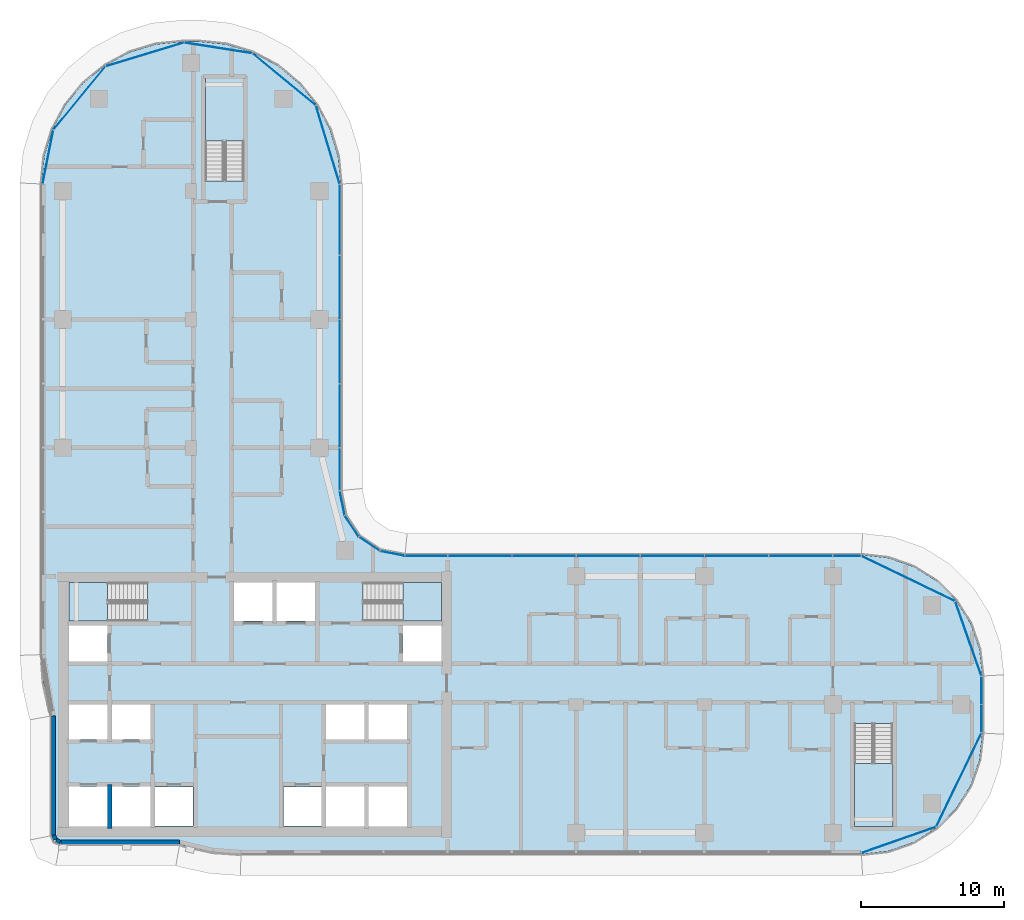
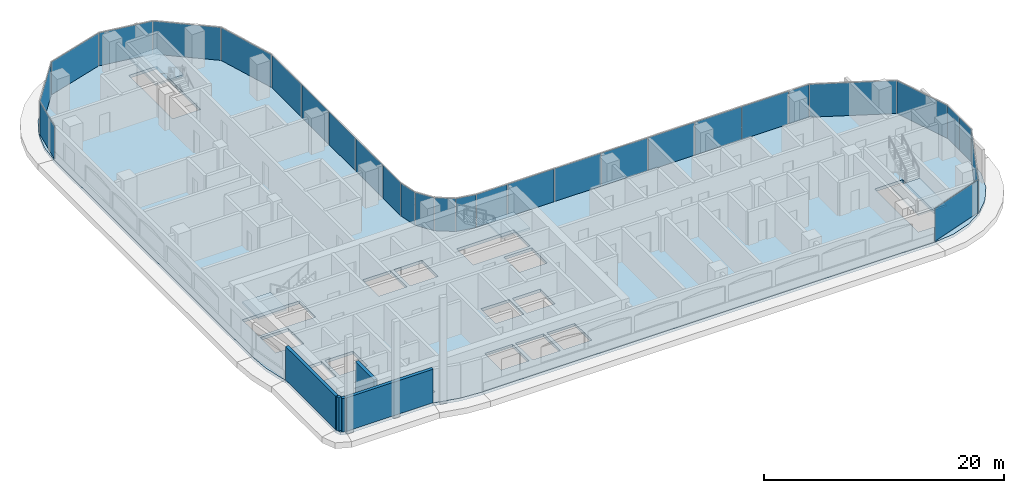
# One storey, part 8 of 25: 29 plates, 5 slabs, 5 walls, 11 elements without a shape of their own.
"""IFC4 building model written with IfcOpenShell, lengths in metres."""

import ifcopenshell
import ifcopenshell.guid

model = None  # the IFC model being written
_history = None  # IfcOwnerHistory: only IFC2X3 demands one
_inside = {}  # id of a spatial element -> (the spatial element, [elements in it])
_under = {}  # id of a project, library or spatial element -> (it, [spatial elements below it])
_declared = {}  # id of a project -> (the project, [libraries it declares])
_typed = {}  # id of a type object -> (the type object, [elements of that type])
_made_of = {}  # id of a material, layer set ... -> (it, [elements and type objects made of it])


def new_model(schema):
    """Start an empty IFC model of exactly this schema.

    Asked for "IFC4X3", IfcOpenShell would pick the latest addendum, in which some entities
    have other attributes; the version numbers below select the first issue.
    IFC2X3 requires an IfcOwnerHistory on every rooted entity: one is made here for all.
    """
    global model, _history
    if schema == "IFC4X3":
        model = ifcopenshell.file(schema_version=(4, 3, 0, 0))
    else:
        model = ifcopenshell.file(schema=schema)
    _inside.clear()
    _under.clear()
    _declared.clear()
    _typed.clear()
    _made_of.clear()
    _history = None
    if model.schema == "IFC2X3":
        org = make("IfcOrganization", Name="unknown")
        user = make(
            "IfcPersonAndOrganization",
            ThePerson=make("IfcPerson", FamilyName="unknown"),
            TheOrganization=org,
        )
        app = make(
            "IfcApplication",
            ApplicationDeveloper=org,
            Version="unknown",
            ApplicationFullName="unknown",
            ApplicationIdentifier="unknown",
        )
        _history = make(
            "IfcOwnerHistory",
            OwningUser=user,
            OwningApplication=app,
            ChangeAction="ADDED",
            CreationDate=0,
        )
    return model


def make(cls, **values):
    """One entity of the class cls with the attributes given. An attribute that is None is left unset."""
    return model.create_entity(
        cls, **{name: value for name, value in values.items() if value is not None}
    )


def rooted(cls, **values):
    """An entity with a GlobalId (a new one), such as an element, a storey or a relation."""
    return make(cls, GlobalId=ifcopenshell.guid.new(), OwnerHistory=_history, **values)


def si_unit(unit_type, name, prefix=None):
    """IfcSIUnit, for example si_unit("LENGTHUNIT", "METRE", prefix="MILLI")."""
    return make("IfcSIUnit", UnitType=unit_type, Prefix=prefix, Name=name)


def assignment(units):
    """IfcUnitAssignment: the units of a project."""
    return None if units is None else make("IfcUnitAssignment", Units=units)


def point(xyz):
    """IfcCartesianPoint."""
    return None if xyz is None else make("IfcCartesianPoint", Coordinates=xyz)


def direction(xyz):
    """IfcDirection."""
    return None if xyz is None else make("IfcDirection", DirectionRatios=xyz)


def frame(location, z_axis=None, x_axis=None):
    """IfcAxis2Placement3D, a coordinate frame: its origin and axes. An axis left out is left unset."""
    return make(
        "IfcAxis2Placement3D",
        Location=point(location),
        Axis=direction(z_axis),
        RefDirection=direction(x_axis),
    )


def frame_2d(location, x_axis=None):
    """IfcAxis2Placement2D, a coordinate frame in the plane: its origin and x axis."""
    return make(
        "IfcAxis2Placement2D", Location=point(location), RefDirection=direction(x_axis)
    )


def origin():
    """The frame at (0, 0, 0) with its axes left unset."""
    return frame((0.0, 0.0, 0.0))


def origin_2d():
    """The frame at (0, 0) in the plane with its x axis left unset."""
    return frame_2d((0.0, 0.0))


def place(relative_to, where):
    """IfcLocalPlacement: puts the frame where relative to a parent placement (None: the world)."""
    return make(
        "IfcLocalPlacement", PlacementRelTo=relative_to, RelativePlacement=where
    )


def context(
    kind, dimensions, precision=None, world=None, true_north=None, identifier=None
):
    """IfcGeometricRepresentationContext, for example the 3D "Model" context."""
    return make(
        "IfcGeometricRepresentationContext",
        ContextIdentifier=identifier,
        ContextType=kind,
        CoordinateSpaceDimension=dimensions,
        Precision=precision,
        WorldCoordinateSystem=world,
        TrueNorth=true_north,
    )


def subcontext(parent, identifier, kind, view, scale=None):
    """IfcGeometricRepresentationSubContext, for example "Body" below "Model"."""
    return make(
        "IfcGeometricRepresentationSubContext",
        ContextIdentifier=identifier,
        ContextType=kind,
        ParentContext=parent,
        TargetScale=scale,
        TargetView=view,
    )


def project(units=None, contexts=None):
    """IfcProject with its units and contexts."""
    return rooted(
        "IfcProject",
        Name="project",
        RepresentationContexts=contexts,
        UnitsInContext=assignment(units),
    )


def spatial(cls, under=None, at=None, **own):
    """A site, building, storey or space (cls), placed at a placement, below another one or the project."""
    s = rooted(cls, ObjectPlacement=at, **own)
    if under is not None:
        _under.setdefault(under.id(), (under, []))[1].append(s)
    return s


def polyline(points):
    """IfcPolyline through the points."""
    return make("IfcPolyline", Points=[point(p) for p in points])


def profile(cls, at=None, kind="AREA", **sizes):
    """A parametric profile (cls). Its sizes go by their IFC names, for example OverallWidth=200.0."""
    return make(cls, ProfileType=kind, Position=at, **sizes)


def rectangle(**sizes):
    """IfcRectangleProfileDef."""
    return profile("IfcRectangleProfileDef", **sizes)


def outline(outer, holes=None, kind="AREA"):
    """IfcArbitraryClosedProfileDef: a profile drawn as a closed curve; with holes, ...WithVoids."""
    if holes is None:
        return make("IfcArbitraryClosedProfileDef", ProfileType=kind, OuterCurve=outer)
    return make(
        "IfcArbitraryProfileDefWithVoids",
        ProfileType=kind,
        OuterCurve=outer,
        InnerCurves=holes,
    )


def extrude(swept, where, along, depth):
    """IfcExtrudedAreaSolid: the profile swept, set in the frame where, extruded along a direction by depth."""
    return make(
        "IfcExtrudedAreaSolid",
        SweptArea=swept,
        Position=where,
        ExtrudedDirection=direction(along),
        Depth=depth,
    )


def shape(context_of_items, identifier, shape_type, items):
    """IfcShapeRepresentation: the items that make up one representation, for example the "Body"."""
    return make(
        "IfcShapeRepresentation",
        ContextOfItems=context_of_items,
        RepresentationIdentifier=identifier,
        RepresentationType=shape_type,
        Items=items,
    )


def material(Name=None, Category=None):
    """IfcMaterial."""
    return make("IfcMaterial", Name=Name, Category=Category)


def layer(
    of_material, thickness, ventilated=None, Name=None, Category=None, Priority=None
):
    """IfcMaterialLayer: one layer of a wall or slab, of a material (None: an air gap)."""
    return make(
        "IfcMaterialLayer",
        Material=of_material,
        LayerThickness=thickness,
        IsVentilated=ventilated,
        Name=Name,
        Category=Category,
        Priority=Priority,
    )


def layer_set(layers, Name=None):
    """IfcMaterialLayerSet."""
    return make("IfcMaterialLayerSet", MaterialLayers=layers, LayerSetName=Name)


def made_of(thing, what):
    """Note that an element or type object is made of a material, layer set ...; save() writes the relation."""
    if what is not None:
        _made_of.setdefault(what.id(), (what, []))[1].append(thing)
    return thing


def type_object(cls, material=None, **own):
    """A type object (cls), such as IfcWallType, which elements share."""
    return made_of(rooted(cls, **own), material)


def element(
    cls,
    number,
    at=None,
    inside=None,
    cuts=None,
    type_object=None,
    material=None,
    context=None,
    identifier="Body",
    shape_type=None,
    held_by="IfcProductDefinitionShape",
    body=None,
    shapes=None,
    **own,
):
    """One element of the class cls, such as IfcWall. Its Tag is "e" and its number.

    at: its placement. inside: the storey or other place that contains it. cuts: it is an
    opening in that element (IfcRelVoidsElement). A single representation is given by context,
    identifier, shape_type and body (its items); several are given by shapes. held_by: the class
    of the entity that holds the representations. save() writes the other relations.
    """
    e = rooted(cls, Tag="e%d" % number, ObjectPlacement=at, **own)
    if body is not None:
        shapes = [shape(context, identifier, shape_type, body)]
    if shapes is not None:
        e.Representation = make(held_by, Representations=shapes)
    if inside is not None:
        _inside.setdefault(inside.id(), (inside, []))[1].append(e)
    if cuts is not None:
        rooted(
            "IfcRelVoidsElement", RelatingBuildingElement=cuts, RelatedOpeningElement=e
        )
    if type_object is not None:
        _typed.setdefault(type_object.id(), (type_object, []))[1].append(e)
    return made_of(e, material)


def aggregate(whole, parts):
    """IfcRelAggregates: a whole, such as a stair, and the parts it consists of."""
    return rooted("IfcRelAggregates", RelatingObject=whole, RelatedObjects=parts)


def save(model, path):
    """Write the relations noted so far, then the file.

    IfcRelAggregates (storeys below a building ...), IfcRelContainedInSpatialStructure (elements
    in a storey), IfcRelDefinesByType, IfcRelAssociatesMaterial and IfcRelDeclares: one each for
    every whole, place, type object, material and project.
    """
    for whole, parts in _under.values():
        aggregate(whole, parts)
    for where, things in _inside.values():
        rooted(
            "IfcRelContainedInSpatialStructure",
            RelatedElements=things,
            RelatingStructure=where,
        )
    for kind, things in _typed.values():
        rooted("IfcRelDefinesByType", RelatedObjects=things, RelatingType=kind)
    for what, things in _made_of.values():
        rooted("IfcRelAssociatesMaterial", RelatedObjects=things, RelatingMaterial=what)
    for by, libraries in _declared.values():
        rooted("IfcRelDeclares", RelatingContext=by, RelatedDefinitions=libraries)
    model.write(path)


model = new_model("IFC4")

# Units and contexts
model_context = context("Model", 3, precision=1e-05, world=origin(), true_north=direction((0.0, 1.0)))
body_context = subcontext(model_context, "Body", "Model", "MODEL_VIEW")
ifc_project = project(units=[si_unit("LENGTHUNIT", "METRE"), si_unit("AREAUNIT", "SQUARE_METRE"), si_unit("VOLUMEUNIT", "CUBIC_METRE"), si_unit("PLANEANGLEUNIT", "RADIAN"), si_unit("MASSUNIT", "GRAM", prefix="KILO")], contexts=[model_context])

# Site, building, storey
site_placement = place(None, origin())
site = spatial("IfcSite", under=ifc_project, at=site_placement, CompositionType="ELEMENT")
building_placement = place(site_placement, origin())
building = spatial("IfcBuilding", under=site, at=building_placement, Name="Ogive Portal Towers", CompositionType="ELEMENT")
storey_placement = place(building_placement, frame((0.0, 0.0, 105.60009765625)))
storey = spatial("IfcBuildingStorey", under=building, at=storey_placement, Name="L25", CompositionType="ELEMENT", Elevation=105.60009765625)

# Curtain wall, plates
ifc_material_1 = material(Name="Glass, clear low-iron insulated glazing", Category="glass")
curtain_wall_type = type_object("IfcCurtainWallType", Name="CW FRONT RIBBON 4500", PredefinedType="NOTDEFINED", material=ifc_material_1)
curtain_wall_1_placement = place(storey_placement, origin())
curtain_wall_1 = element("IfcCurtainWall", 1, at=curtain_wall_1_placement, inside=storey, type_object=curtain_wall_type, Name="A:L25:f09:cw0", PredefinedType="NOTDEFINED")
ifc_layer_1 = layer(ifc_material_1, 0.028076171875)
ifc_layer_set_1 = layer_set([ifc_layer_1], Name="CW PANEL IGU 28")
plate_type = type_object("IfcPlateType", Name="CW PANEL IGU 28", PredefinedType="CURTAIN_PANEL", material=ifc_layer_set_1)
plate_1_placement = place(storey_placement, frame((95.919921875, 29.509033203125, 0.0), z_axis=(0.0, 0.0, 1.0), x_axis=(0.0, 1.0, 0.0)))
plate_1 = element("IfcPlate", 2, at=plate_1_placement, type_object=plate_type, Name="panel", PredefinedType="CURTAIN_PANEL", context=body_context, shape_type="SweptSolid", body=[
    extrude(rectangle(XDim=1.921630859375, YDim=0.028076171875, at=origin_2d()), origin(), (0.0, 0.0, 1.0), 3.340087890625),
])
plate_2_placement = place(storey_placement, frame((95.919921875, 31.4931640625, 0.0), z_axis=(0.0, 0.0, 1.0), x_axis=(0.0, 1.0, 0.0)))
plate_2 = element("IfcPlate", 3, at=plate_2_placement, type_object=plate_type, Name="panel", PredefinedType="CURTAIN_PANEL", context=body_context, shape_type="SweptSolid", body=[
    extrude(rectangle(XDim=1.926513671875, YDim=0.028076171875, at=origin_2d()), origin(), (0.0, 0.0, 1.0), 3.340087890625),
])
aggregate(curtain_wall_1, [plate_1, plate_2])

curtain_wall_2_placement = place(storey_placement, origin())
curtain_wall_2 = element("IfcCurtainWall", 4, at=curtain_wall_2_placement, inside=storey, type_object=curtain_wall_type, Name="A:L25:f12:cw0", PredefinedType="NOTDEFINED")
plate_3_placement = place(storey_placement, frame((86.490966796875, 40.919921875, 0.0), z_axis=(0.0, 0.0, 1.0), x_axis=(-1.0, 0.0, 0.0)))
plate_3 = element("IfcPlate", 5, at=plate_3_placement, type_object=plate_type, Name="panel", PredefinedType="CURTAIN_PANEL", context=body_context, shape_type="SweptSolid", body=[
    extrude(rectangle(XDim=1.921630859375, YDim=0.028076171875, at=origin_2d()), origin(), (0.0, 0.0, 1.0), 3.340087890625),
])
plate_4_placement = place(storey_placement, frame((83.25, 40.919921875, 0.0), z_axis=(0.0, 0.0, 1.0), x_axis=(-1.0, 0.0, 0.0)))
plate_4 = element("IfcPlate", 6, at=plate_4_placement, type_object=plate_type, Name="panel", PredefinedType="CURTAIN_PANEL", context=body_context, shape_type="SweptSolid", body=[
    extrude(rectangle(XDim=4.43994140625, YDim=0.028076171875, at=origin_2d()), origin(), (0.0, 0.0, 1.0), 3.340087890625),
])
plate_5_placement = place(storey_placement, frame((78.75, 40.919921875, 0.0), z_axis=(0.0, 0.0, 1.0), x_axis=(-1.0, 0.0, 0.0)))
plate_5 = element("IfcPlate", 7, at=plate_5_placement, type_object=plate_type, Name="panel", PredefinedType="CURTAIN_PANEL", context=body_context, shape_type="SweptSolid", body=[
    extrude(rectangle(XDim=4.43994140625, YDim=0.028076171875, at=origin_2d()), origin(), (0.0, 0.0, 1.0), 3.340087890625),
])
plate_6_placement = place(storey_placement, frame((74.25, 40.919921875, 0.0), z_axis=(0.0, 0.0, 1.0), x_axis=(-1.0, 0.0, 0.0)))
plate_6 = element("IfcPlate", 8, at=plate_6_placement, type_object=plate_type, Name="panel", PredefinedType="CURTAIN_PANEL", context=body_context, shape_type="SweptSolid", body=[
    extrude(rectangle(XDim=4.43994140625, YDim=0.028076171875, at=origin_2d()), origin(), (0.0, 0.0, 1.0), 3.340087890625),
])
plate_7_placement = place(storey_placement, frame((69.75, 40.919921875, 0.0), z_axis=(0.0, 0.0, 1.0), x_axis=(-1.0, 0.0, 0.0)))
plate_7 = element("IfcPlate", 9, at=plate_7_placement, type_object=plate_type, Name="panel", PredefinedType="CURTAIN_PANEL", context=body_context, shape_type="SweptSolid", body=[
    extrude(rectangle(XDim=4.43994140625, YDim=0.028076171875, at=origin_2d()), origin(), (0.0, 0.0, 1.0), 3.340087890625),
])
plate_8_placement = place(storey_placement, frame((65.25, 40.919921875, 0.0), z_axis=(0.0, 0.0, 1.0), x_axis=(-1.0, 0.0, 0.0)))
plate_8 = element("IfcPlate", 10, at=plate_8_placement, type_object=plate_type, Name="panel", PredefinedType="CURTAIN_PANEL", context=body_context, shape_type="SweptSolid", body=[
    extrude(rectangle(XDim=4.43994140625, YDim=0.028076171875, at=origin_2d()), origin(), (0.0, 0.0, 1.0), 3.340087890625),
])
plate_9_placement = place(storey_placement, frame((60.75, 40.919921875, 0.0), z_axis=(0.0, 0.0, 1.0), x_axis=(-1.0, 0.0, 0.0)))
plate_9 = element("IfcPlate", 11, at=plate_9_placement, type_object=plate_type, Name="panel", PredefinedType="CURTAIN_PANEL", context=body_context, shape_type="SweptSolid", body=[
    extrude(rectangle(XDim=4.43994140625, YDim=0.028076171875, at=origin_2d()), origin(), (0.0, 0.0, 1.0), 3.340087890625),
])
plate_10_placement = place(storey_placement, frame((56.99609375, 40.919921875, 0.0), z_axis=(0.0, 0.0, 1.0), x_axis=(-1.0, 0.0, 0.0)))
plate_10 = element("IfcPlate", 12, at=plate_10_placement, type_object=plate_type, Name="panel", PredefinedType="CURTAIN_PANEL", context=body_context, shape_type="SweptSolid", body=[
    extrude(rectangle(XDim=2.947998046875, YDim=0.028076171875, at=origin_2d()), origin(), (0.0, 0.0, 1.0), 3.340087890625),
])
aggregate(curtain_wall_2, [plate_3, plate_4, plate_5, plate_6, plate_7, plate_8, plate_9, plate_10])

curtain_wall_3_placement = place(storey_placement, origin())
curtain_wall_3 = element("IfcCurtainWall", 13, at=curtain_wall_3_placement, inside=storey, type_object=curtain_wall_type, Name="A:L25:f17:cw0", PredefinedType="NOTDEFINED")
plate_11_placement = place(storey_placement, frame((50.919921875, 46.99609375, 0.0), z_axis=(0.0, 0.0, 1.0), x_axis=(0.0, 1.0, 0.0)))
plate_11 = element("IfcPlate", 14, at=plate_11_placement, type_object=plate_type, Name="panel", PredefinedType="CURTAIN_PANEL", context=body_context, shape_type="SweptSolid", body=[
    extrude(rectangle(XDim=2.947998046875, YDim=0.028076171875, at=origin_2d()), origin(), (0.0, 0.0, 1.0), 3.340087890625),
])
plate_12_placement = place(storey_placement, frame((50.919921875, 50.75, 0.0), z_axis=(0.0, 0.0, 1.0), x_axis=(0.0, 1.0, 0.0)))
plate_12 = element("IfcPlate", 15, at=plate_12_placement, type_object=plate_type, Name="panel", PredefinedType="CURTAIN_PANEL", context=body_context, shape_type="SweptSolid", body=[
    extrude(rectangle(XDim=4.43994140625, YDim=0.028076171875, at=origin_2d()), origin(), (0.0, 0.0, 1.0), 3.340087890625),
])
plate_13_placement = place(storey_placement, frame((50.919921875, 55.25, 0.0), z_axis=(0.0, 0.0, 1.0), x_axis=(0.0, 1.0, 0.0)))
plate_13 = element("IfcPlate", 16, at=plate_13_placement, type_object=plate_type, Name="panel", PredefinedType="CURTAIN_PANEL", context=body_context, shape_type="SweptSolid", body=[
    extrude(rectangle(XDim=4.43994140625, YDim=0.028076171875, at=origin_2d()), origin(), (0.0, 0.0, 1.0), 3.340087890625),
])
plate_14_placement = place(storey_placement, frame((50.919921875, 59.75, 0.0), z_axis=(0.0, 0.0, 1.0), x_axis=(0.0, 1.0, 0.0)))
plate_14 = element("IfcPlate", 17, at=plate_14_placement, type_object=plate_type, Name="panel", PredefinedType="CURTAIN_PANEL", context=body_context, shape_type="SweptSolid", body=[
    extrude(rectangle(XDim=4.43994140625, YDim=0.028076171875, at=origin_2d()), origin(), (0.0, 0.0, 1.0), 3.340087890625),
])
plate_15_placement = place(storey_placement, frame((50.919921875, 64.494140625, 0.0), z_axis=(0.0, 0.0, 1.0), x_axis=(0.0, 1.0, 0.0)))
plate_15 = element("IfcPlate", 18, at=plate_15_placement, type_object=plate_type, Name="panel", PredefinedType="CURTAIN_PANEL", context=body_context, shape_type="SweptSolid", body=[
    extrude(rectangle(XDim=4.92822265625, YDim=0.028076171875, at=origin_2d()), origin(), (0.0, 0.0, 1.0), 3.340087890625),
])
aggregate(curtain_wall_3, [plate_11, plate_12, plate_13, plate_14, plate_15])

curtain_wall_4_placement = place(storey_placement, origin())
curtain_wall_4 = element("IfcCurtainWall", 19, at=curtain_wall_4_placement, inside=storey, type_object=curtain_wall_type, Name="A:L25:f07:cwa", PredefinedType="NOTDEFINED")
plate_16_placement = place(storey_placement, frame((90.1142578125, 20.99951171875, 0.0), z_axis=(0.0, 0.0, 1.0), x_axis=(0.943883330307, 0.33027906196, 0.0)))
plate_16 = element("IfcPlate", 20, at=plate_16_placement, type_object=plate_type, Name="panel", PredefinedType="CURTAIN_PANEL", context=body_context, shape_type="SweptSolid", body=[
    extrude(rectangle(XDim=5.508056640625, YDim=0.028076171875, at=origin_2d()), origin(), (0.0, 0.0, 1.0), 3.340087890625),
])
plate_17_placement = place(storey_placement, frame((94.3310546875, 25.21875, 0.0), z_axis=(0.0, 0.0, 1.0), x_axis=(0.433883739113, 0.900968867905, 0.0)))
plate_17 = element("IfcPlate", 21, at=plate_17_placement, type_object=plate_type, Name="panel", PredefinedType="CURTAIN_PANEL", context=body_context, shape_type="SweptSolid", body=[
    extrude(rectangle(XDim=7.2646484375, YDim=0.028076171875, at=origin_2d()), origin(), (0.0, 0.0, 1.0), 3.340087890625),
])
aggregate(curtain_wall_4, [plate_16, plate_17])

curtain_wall_5_placement = place(storey_placement, origin())
curtain_wall_5 = element("IfcCurtainWall", 22, at=curtain_wall_5_placement, inside=storey, type_object=curtain_wall_type, Name="A:L25:f10:cwa", PredefinedType="NOTDEFINED")
plate_18_placement = place(storey_placement, frame((95.00048828125, 35.1142578125, 0.0), z_axis=(0.0, 0.0, 1.0), x_axis=(-0.33027906196, 0.943883330307, 0.0)))
plate_18 = element("IfcPlate", 23, at=plate_18_placement, type_object=plate_type, Name="panel", PredefinedType="CURTAIN_PANEL", context=body_context, shape_type="SweptSolid", body=[
    extrude(rectangle(XDim=5.508056640625, YDim=0.028076171875, at=origin_2d()), origin(), (0.0, 0.0, 1.0), 3.340087890625),
])
plate_19_placement = place(storey_placement, frame((90.78125, 39.3310546875, 0.0), z_axis=(0.0, 0.0, 1.0), x_axis=(-0.900968867905, 0.433883739113, 0.0)))
plate_19 = element("IfcPlate", 24, at=plate_19_placement, type_object=plate_type, Name="panel", PredefinedType="CURTAIN_PANEL", context=body_context, shape_type="SweptSolid", body=[
    extrude(rectangle(XDim=7.2646484375, YDim=0.028076171875, at=origin_2d()), origin(), (0.0, 0.0, 1.0), 3.340087890625),
])
aggregate(curtain_wall_5, [plate_18, plate_19])

curtain_wall_6_placement = place(storey_placement, origin())
curtain_wall_6 = element("IfcCurtainWall", 25, at=curtain_wall_6_placement, inside=storey, type_object=curtain_wall_type, Name="A:L25:f13:cwa", PredefinedType="NOTDEFINED")
plate_20_placement = place(storey_placement, frame((54.619384765625, 41.093505859375, 0.0), z_axis=(0.0, 0.0, 1.0), x_axis=(-0.980785280403, 0.195090322016, 0.0)))
plate_20 = element("IfcPlate", 26, at=plate_20_placement, type_object=plate_type, Name="panel", PredefinedType="CURTAIN_PANEL", context=body_context, shape_type="SweptSolid", body=[
    extrude(rectangle(XDim=1.7197265625, YDim=0.028076171875, at=origin_2d()), origin(), (0.0, 0.0, 1.0), 3.340087890625),
])
plate_21_placement = place(storey_placement, frame((53.00341796875, 41.763671875, 0.0), z_axis=(0.0, 0.0, 1.0), x_axis=(-0.831469612303, 0.55557023302, 0.0)))
plate_21 = element("IfcPlate", 27, at=plate_21_placement, type_object=plate_type, Name="panel", PredefinedType="CURTAIN_PANEL", context=body_context, shape_type="SweptSolid", body=[
    extrude(rectangle(XDim=1.7275390625, YDim=0.028076171875, at=origin_2d()), origin(), (0.0, 0.0, 1.0), 3.340087890625),
])
plate_22_placement = place(storey_placement, frame((51.763671875, 43.00341796875, 0.0), z_axis=(0.0, 0.0, 1.0), x_axis=(-0.55557023302, 0.831469612303, 0.0)))
plate_22 = element("IfcPlate", 28, at=plate_22_placement, type_object=plate_type, Name="panel", PredefinedType="CURTAIN_PANEL", context=body_context, shape_type="SweptSolid", body=[
    extrude(rectangle(XDim=1.7275390625, YDim=0.028076171875, at=origin_2d()), origin(), (0.0, 0.0, 1.0), 3.340087890625),
])
plate_23_placement = place(storey_placement, frame((51.093505859375, 44.619384765625, 0.0), z_axis=(0.0, 0.0, 1.0), x_axis=(-0.195090322016, 0.980785280403, 0.0)))
plate_23 = element("IfcPlate", 29, at=plate_23_placement, type_object=plate_type, Name="panel", PredefinedType="CURTAIN_PANEL", context=body_context, shape_type="SweptSolid", body=[
    extrude(rectangle(XDim=1.7197265625, YDim=0.028076171875, at=origin_2d()), origin(), (0.0, 0.0, 1.0), 3.340087890625),
])
aggregate(curtain_wall_6, [plate_20, plate_21, plate_22, plate_23])

curtain_wall_7_placement = place(storey_placement, origin())
curtain_wall_7 = element("IfcCurtainWall", 30, at=curtain_wall_7_placement, inside=storey, type_object=curtain_wall_type, Name="A:L25:f18:cwa", PredefinedType="NOTDEFINED")
plate_24_placement = place(storey_placement, frame((50.08251953125, 69.748779296875, 0.0), z_axis=(0.0, 0.0, 1.0), x_axis=(-0.290284677254, 0.956940335732, 0.0)))
plate_24 = element("IfcPlate", 31, at=plate_24_placement, type_object=plate_type, Name="panel", PredefinedType="CURTAIN_PANEL", context=body_context, shape_type="SweptSolid", body=[
    extrude(rectangle(XDim=5.70947265625, YDim=0.028076171875, at=origin_2d()), origin(), (0.0, 0.0, 1.0), 3.340087890625),
])
plate_25_placement = place(storey_placement, frame((47.01904296875, 74.336181640625, 0.0), z_axis=(0.0, 0.0, 1.0), x_axis=(-0.773010453363, 0.634393284164, 0.0)))
plate_25 = element("IfcPlate", 32, at=plate_25_placement, type_object=plate_type, Name="panel", PredefinedType="CURTAIN_PANEL", context=body_context, shape_type="SweptSolid", body=[
    extrude(rectangle(XDim=5.69970703125, YDim=0.028076171875, at=origin_2d()), origin(), (0.0, 0.0, 1.0), 3.340087890625),
])
plate_26_placement = place(storey_placement, frame((42.399169921875, 76.54052734375, 0.0), z_axis=(0.0, 0.0, 1.0), x_axis=(-0.987792174992, 0.155777466355, 0.0)))
plate_26 = element("IfcPlate", 33, at=plate_26_placement, type_object=plate_type, Name="panel", PredefinedType="CURTAIN_PANEL", context=body_context, shape_type="SweptSolid", body=[
    extrude(rectangle(XDim=4.786376953125, YDim=0.028076171875, at=origin_2d()), origin(), (0.0, 0.0, 1.0), 3.340087890625),
])
plate_27_placement = place(storey_placement, frame((37.248291015625, 76.08154296875, 0.0), z_axis=(0.0, 0.0, 1.0), x_axis=(-0.956940335732, -0.290284677254, 0.0)))
plate_27 = element("IfcPlate", 34, at=plate_27_placement, type_object=plate_type, Name="panel", PredefinedType="CURTAIN_PANEL", context=body_context, shape_type="SweptSolid", body=[
    extrude(rectangle(XDim=5.703125, YDim=0.028076171875, at=origin_2d()), origin(), (0.0, 0.0, 1.0), 3.340087890625),
])
plate_28_placement = place(storey_placement, frame((32.663330078125, 73.018310546875, 0.0), z_axis=(0.0, 0.0, 1.0), x_axis=(-0.634393284164, -0.773010453363, 0.0)))
plate_28 = element("IfcPlate", 35, at=plate_28_placement, type_object=plate_type, Name="panel", PredefinedType="CURTAIN_PANEL", context=body_context, shape_type="SweptSolid", body=[
    extrude(rectangle(XDim=5.701416015625, YDim=0.028076171875, at=origin_2d()), origin(), (0.0, 0.0, 1.0), 3.340087890625),
])
plate_29_placement = place(storey_placement, frame((30.457763671875, 68.891845703125, 0.0), z_axis=(0.0, 0.0, 1.0), x_axis=(-0.195090322016, -0.980785280403, 0.0)))
plate_29 = element("IfcPlate", 36, at=plate_29_placement, type_object=plate_type, Name="panel", PredefinedType="CURTAIN_PANEL", context=body_context, shape_type="SweptSolid", body=[
    extrude(rectangle(XDim=3.81396484375, YDim=0.028076171875, at=origin_2d()), origin(), (0.0, 0.0, 1.0), 3.340087890625),
])
aggregate(curtain_wall_7, [plate_24, plate_25, plate_26, plate_27, plate_28, plate_29])

# Stair, slab
ifc_material_2 = material(Name="Concrete C40/50", Category="concrete")
stair_type = type_object("IfcStairType", Name="INT-STAIR", PredefinedType="HALF_TURN_STAIR", material=ifc_material_2)
stair_1_placement = place(storey_placement, origin())
stair_1 = element("IfcStair", 37, at=stair_1_placement, inside=storey, type_object=stair_type, Name="L25 Exit Stair ST-A1", PredefinedType="HALF_TURN_STAIR")
ifc_layer_2 = layer(ifc_material_2, 0.199951171875)
ifc_layer_set_2 = layer_set([ifc_layer_2], Name="INT-LANDING")
slab_type_1 = type_object("IfcSlabType", Name="INT-LANDING", PredefinedType="LANDING", material=ifc_layer_set_2)
slab_1_placement = place(storey_placement, frame((0.0, 0.0, 1.64990234375)))
slab_1 = element("IfcSlab", 38, at=slab_1_placement, type_object=slab_type_1, Name="ST-A1 landing 1", PredefinedType="LANDING", context=body_context, shape_type="SweptSolid", body=[
    extrude(outline(polyline([(34.64990234375, 39.050048828125), (31.949951171875, 39.050048828125), (31.949951171875, 36.35009765625), (34.64990234375, 36.35009765625), (34.64990234375, 39.050048828125)])), origin(), (0.0, 0.0, 1.0), 0.199951171875),
])
aggregate(stair_1, [slab_1])

stair_2_placement = place(storey_placement, origin())
stair_2 = element("IfcStair", 39, at=stair_2_placement, inside=storey, type_object=stair_type, Name="L25 Exit Stair ST-A2", PredefinedType="HALF_TURN_STAIR")
slab_2_placement = place(storey_placement, frame((0.0, 0.0, 1.64990234375)))
slab_2 = element("IfcSlab", 40, at=slab_2_placement, type_object=slab_type_1, Name="ST-A2 landing 1", PredefinedType="LANDING", context=body_context, shape_type="SweptSolid", body=[
    extrude(outline(polyline([(55.35009765625, 36.35009765625), (58.050048828125, 36.35009765625), (58.050048828125, 39.050048828125), (55.35009765625, 39.050048828125), (55.35009765625, 36.35009765625)])), origin(), (0.0, 0.0, 1.0), 0.199951171875),
])
aggregate(stair_2, [slab_2])

stair_3_placement = place(storey_placement, origin())
stair_3 = element("IfcStair", 41, at=stair_3_placement, inside=storey, type_object=stair_type, Name="L25 Exit Stair ST-A3", PredefinedType="HALF_TURN_STAIR")
slab_3_placement = place(storey_placement, frame((0.0, 0.0, 1.64990234375)))
slab_3 = element("IfcSlab", 42, at=slab_3_placement, type_object=slab_type_1, Name="ST-A3 landing 1", PredefinedType="LANDING", context=body_context, shape_type="SweptSolid", body=[
    extrude(outline(polyline([(44.199951171875, 70.0), (44.199951171875, 74.449951171875), (41.5, 74.449951171875), (41.5, 70.0), (44.199951171875, 70.0)])), origin(), (0.0, 0.0, 1.0), 0.199951171875),
])
aggregate(stair_3, [slab_3])

stair_4_placement = place(storey_placement, origin())
stair_4 = element("IfcStair", 43, at=stair_4_placement, inside=storey, type_object=stair_type, Name="L25 Exit Stair ST-A4", PredefinedType="HALF_TURN_STAIR")
slab_4_placement = place(storey_placement, frame((0.0, 0.0, 1.64990234375)))
slab_4 = element("IfcSlab", 44, at=slab_4_placement, type_object=slab_type_1, Name="ST-A4 landing 1", PredefinedType="LANDING", context=body_context, shape_type="SweptSolid", body=[
    extrude(outline(polyline([(87.0, 26.3701171875), (87.0, 21.949951171875), (89.699951171875, 21.949951171875), (89.699951171875, 26.3701171875), (87.0, 26.3701171875)])), origin(), (0.0, 0.0, 1.0), 0.199951171875),
])
aggregate(stair_4, [slab_4])

# Slab
ifc_material_3 = material(Name="Concrete C45/55", Category="concrete")
ifc_layer_3 = layer(ifc_material_3, 0.300048828125)
ifc_layer_set_3 = layer_set([ifc_layer_3], Name="PT FLAT PLATE 300")
slab_type_2 = type_object("IfcSlabType", Name="PT FLAT PLATE 300", PredefinedType="FLOOR", material=ifc_layer_set_3)
slab_5_placement = place(storey_placement, frame((0.0, 0.0, -0.300048828125)))
element("IfcSlab", 45, at=slab_5_placement, inside=storey, type_object=slab_type_2, Name="Floor slab L25", PredefinedType="FLOOR", context=body_context, shape_type="SweptSolid", body=[
    extrude(outline(polyline([(30.142578125, 32.007568359375), (30.567138671875, 30.0556640625), (30.699951171875, 29.699462890625), (30.699951171875, 21.300048828125), (30.875732421875, 20.875732421875), (31.300048828125, 20.699951171875), (39.699462890625, 20.699951171875), (40.0556640625, 20.567138671875), (42.007568359375, 20.142578125), (44.0, 20.0), (87.5, 20.0), (89.391357421875, 20.213134765625), (91.18798828125, 20.841796875), (92.7998046875, 21.8544921875), (94.1455078125, 23.2001953125), (95.158203125, 24.81201171875), (95.786865234375, 26.608642578125), (96.0, 28.5), (96.0, 32.5), (95.786865234375, 34.391357421875), (95.158203125, 36.18798828125), (94.1455078125, 37.7998046875), (92.7998046875, 39.1455078125), (91.18798828125, 40.158203125), (89.391357421875, 40.786865234375), (87.5, 41.0), (55.5, 41.0), (53.77783203125, 41.342529296875), (52.318115234375, 42.318115234375), (51.342529296875, 43.77783203125), (51.0, 45.5), (51.0, 67.0), (50.807861328125, 68.950927734375), (50.23876953125, 70.826904296875), (49.314697265625, 72.5556640625), (48.071044921875, 74.071044921875), (46.5556640625, 75.314697265625), (44.826904296875, 76.23876953125), (42.950927734375, 76.807861328125), (41.0, 77.0), (40.0, 77.0), (38.049072265625, 76.807861328125), (36.173095703125, 76.23876953125), (34.4443359375, 75.314697265625), (32.928955078125, 74.071044921875), (31.685302734375, 72.5556640625), (30.76123046875, 70.826904296875), (30.192138671875, 68.950927734375), (30.0, 67.0), (30.0, 34.0), (30.142578125, 32.007568359375)]), holes=[polyline([(34.64990234375, 24.75), (34.64990234375, 21.949951171875), (31.949951171875, 21.949951171875), (31.949951171875, 24.75), (34.64990234375, 24.75)]), polyline([(37.64990234375, 24.75), (37.64990234375, 21.949951171875), (34.949951171875, 21.949951171875), (34.949951171875, 24.75), (37.64990234375, 24.75)]), polyline([(40.6298828125, 21.969970703125), (37.969970703125, 21.969970703125), (37.969970703125, 24.72998046875), (40.6298828125, 24.72998046875), (40.6298828125, 21.969970703125)]), polyline([(34.64990234375, 30.5), (34.64990234375, 28.050048828125), (31.949951171875, 28.050048828125), (31.949951171875, 30.5), (34.64990234375, 30.5)]), polyline([(37.64990234375, 30.5), (37.64990234375, 28.050048828125), (34.949951171875, 28.050048828125), (34.949951171875, 30.5), (37.64990234375, 30.5)]), polyline([(34.64990234375, 36.050048828125), (34.64990234375, 33.5), (31.949951171875, 33.5), (31.949951171875, 36.050048828125), (34.64990234375, 36.050048828125)]), polyline([(31.951904296875, 39.048095703125), (37.447998046875, 39.048095703125), (37.447998046875, 36.35205078125), (31.951904296875, 36.35205078125), (31.951904296875, 39.048095703125)]), polyline([(46.199951171875, 36.35009765625), (43.5, 36.35009765625), (43.5, 39.050048828125), (46.199951171875, 39.050048828125), (46.199951171875, 36.35009765625)]), polyline([(44.197998046875, 67.201904296875), (41.501953125, 67.201904296875), (41.501953125, 74.447998046875), (44.197998046875, 74.447998046875), (44.197998046875, 67.201904296875)]), polyline([(49.6298828125, 21.969970703125), (46.969970703125, 21.969970703125), (46.969970703125, 24.72998046875), (49.6298828125, 24.72998046875), (49.6298828125, 21.969970703125)]), polyline([(52.64990234375, 24.75), (52.64990234375, 21.949951171875), (49.949951171875, 21.949951171875), (49.949951171875, 24.75), (52.64990234375, 24.75)]), polyline([(55.64990234375, 24.75), (55.64990234375, 21.949951171875), (52.949951171875, 21.949951171875), (52.949951171875, 24.75), (55.64990234375, 24.75)]), polyline([(87.001953125, 21.951904296875), (87.001953125, 29.16796875), (89.697998046875, 29.16796875), (89.697998046875, 21.951904296875), (87.001953125, 21.951904296875)]), polyline([(52.64990234375, 30.5), (52.64990234375, 28.050048828125), (49.949951171875, 28.050048828125), (49.949951171875, 30.5), (52.64990234375, 30.5)]), polyline([(55.64990234375, 30.5), (55.64990234375, 28.050048828125), (52.949951171875, 28.050048828125), (52.949951171875, 30.5), (55.64990234375, 30.5)]), polyline([(58.050048828125, 36.050048828125), (58.050048828125, 33.5), (55.35009765625, 33.5), (55.35009765625, 36.050048828125), (58.050048828125, 36.050048828125)]), polyline([(49.199951171875, 36.35009765625), (46.5, 36.35009765625), (46.5, 39.050048828125), (49.199951171875, 39.050048828125), (49.199951171875, 36.35009765625)]), polyline([(52.552001953125, 36.35205078125), (52.552001953125, 39.048095703125), (58.048095703125, 39.048095703125), (58.048095703125, 36.35205078125), (52.552001953125, 36.35205078125)])]), origin(), (0.0, 0.0, 1.0), 0.300048828125),
])

# Walls
ifc_material_4 = material(Name="Limestone cladding on lightweight block wall", Category="masonry")
ifc_layer_4 = layer(ifc_material_4, 0.300048828125)
ifc_layer_set_4 = layer_set([ifc_layer_4], Name="EXTERNAL WALL 300 STONE")
wall_type_1 = type_object("IfcWallType", Name="EXTERNAL WALL 300 STONE", PredefinedType="SOLIDWALL", material=ifc_layer_set_4)
wall_1_placement = place(storey_placement, frame((30.85009765625, 29.699462890625, 0.0), z_axis=(0.0, 0.0, 1.0), x_axis=(0.0, -1.0, 0.0)))
element("IfcWall", 46, at=wall_1_placement, inside=storey, type_object=wall_type_1, Name="A:L25:f00:r0:wall", PredefinedType="SOLIDWALL", context=body_context, shape_type="SweptSolid", body=[
    extrude(rectangle(XDim=8.33984375, YDim=0.300048828125, at=frame_2d((4.169921875, 0.0))), origin(), (0.0, 0.0, 1.0), 3.39990234375),
])
for number, where, z_axis, x_axis, name in (
    (47, (30.861328125, 21.30224609375, 0.0), (0.0, 0.0, 1.0), (0.38297812142, -0.923757413239, 0.0), "A:L25:f01:r0:wall"),
    (48, (31.0478515625, 20.966796875, 0.0), (0.0, 0.0, 1.0), (0.923757413239, -0.38297812142, 0.0), "A:L25:f02:r0:wall"),
):
    element("IfcWall", number, at=place(storey_placement, frame(where, z_axis=z_axis, x_axis=x_axis)), inside=storey, type_object=wall_type_1, Name=name, PredefinedType="SOLIDWALL", context=body_context, shape_type="SweptSolid", body=[
        extrude(rectangle(XDim=0.275390625, YDim=0.300048828125, at=frame_2d((0.1376953125, 0.0))), origin(), (0.0, 0.0, 1.0), 3.39990234375),
    ])
wall_2_placement = place(storey_placement, frame((31.359619140625, 20.85009765625, 0.0), z_axis=(0.0, 0.0, 1.0), x_axis=(1.0, 0.0, 0.0)))
element("IfcWall", 49, at=wall_2_placement, inside=storey, type_object=wall_type_1, Name="A:L25:f03:r0:wall", PredefinedType="SOLIDWALL", context=body_context, shape_type="SweptSolid", body=[
    extrude(rectangle(XDim=8.33984375, YDim=0.300048828125, at=frame_2d((4.169921875, 0.0))), origin(), (0.0, 0.0, 1.0), 3.39990234375),
])
ifc_layer_5 = layer(ifc_material_2, 0.300048828125)
ifc_layer_set_5 = layer_set([ifc_layer_5], Name="WT-SHAFT-300")
wall_type_2 = type_object("IfcWallType", Name="WT-SHAFT-300", PredefinedType="SOLIDWALL", material=ifc_layer_set_5)
wall_3_placement = place(storey_placement, frame((34.800048828125, 21.800048828125, 0.0), z_axis=(0.0, 0.0, 1.0), x_axis=(0.0, 1.0, 0.0)))
element("IfcWall", 50, at=wall_3_placement, inside=storey, type_object=wall_type_2, Name="Wall pw:006:L25", PredefinedType="SOLIDWALL", context=body_context, shape_type="SweptSolid", body=[
    extrude(rectangle(XDim=3.099853515625, YDim=0.300048828125, at=frame_2d((1.5498046875, 0.0))), origin(), (0.0, 0.0, 1.0), 3.39990234375),
])

save(model, "model.ifc")
